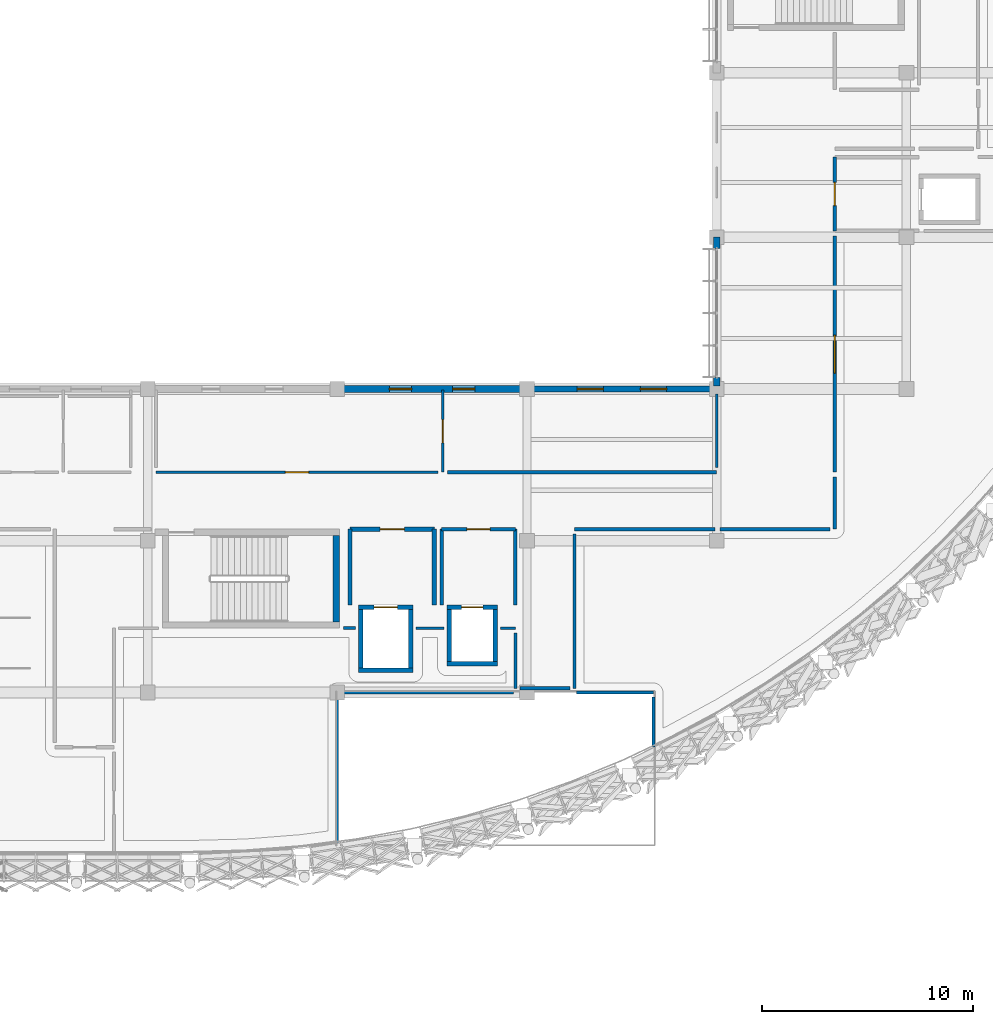
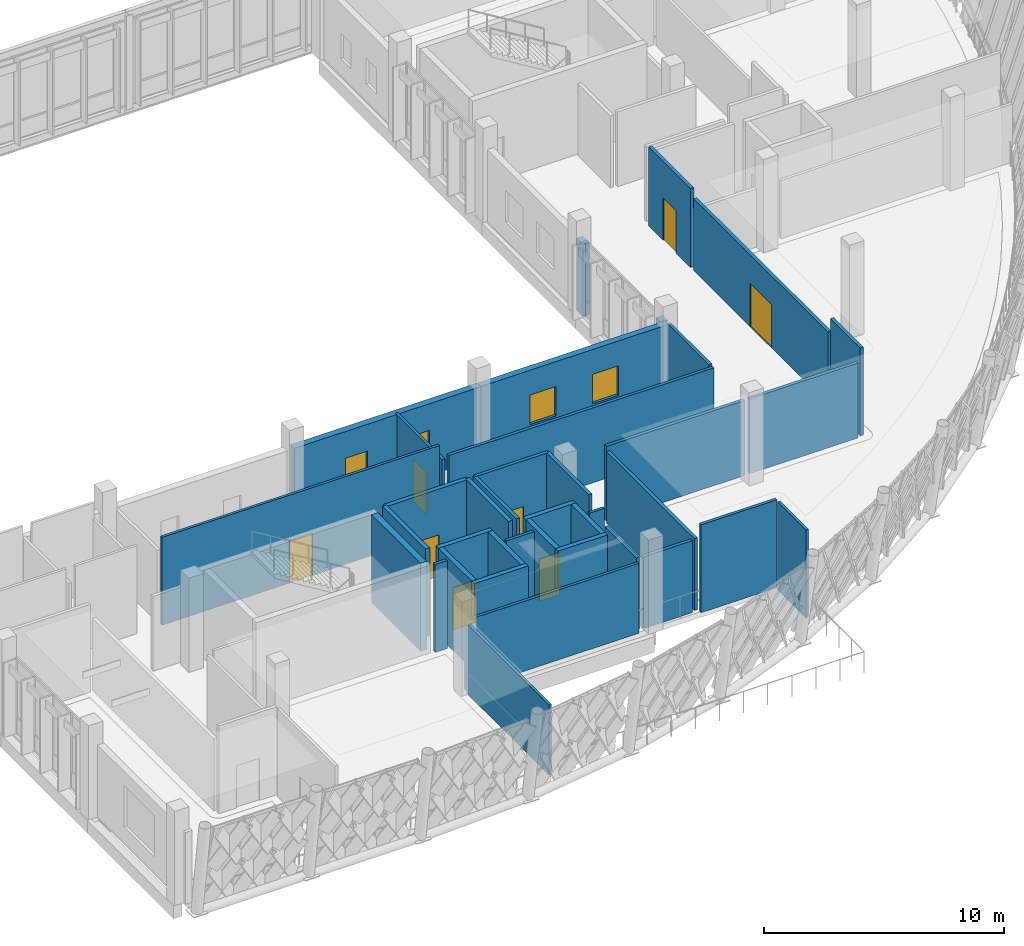
# One storey, part 157 of 177: 38 walls, 8 doors, 4 windows, 12 openings.
"""IFC4 building model written with IfcOpenShell, lengths in metres."""

from ifc_helpers import new_model, si_unit, direction, frame, frame_2d, origin, place, context, subcontext, project, spatial, rectangle, extrude, material, layer, layer_set, type_object, element, fill, save


model = new_model("IFC4")

# Units and contexts
model_context = context("Model", 3, precision=1e-05, world=origin(), true_north=direction((0.0, 1.0)))
body_context = subcontext(model_context, "Body", "Model", "MODEL_VIEW")
ifc_project = project(units=[si_unit("LENGTHUNIT", "METRE"), si_unit("AREAUNIT", "SQUARE_METRE"), si_unit("VOLUMEUNIT", "CUBIC_METRE"), si_unit("PLANEANGLEUNIT", "RADIAN"), si_unit("MASSUNIT", "GRAM", prefix="KILO")], contexts=[model_context])

# Site, building, storey
site_placement = place(None, origin())
site = spatial("IfcSite", under=ifc_project, at=site_placement, CompositionType="ELEMENT")
building_placement = place(site_placement, origin())
building = spatial("IfcBuilding", under=site, at=building_placement, Name="Chiffa Square Polytechnic", CompositionType="ELEMENT")
storey_placement = place(building_placement, frame((0.0, 0.0, 4.800048828125)))
storey = spatial("IfcBuildingStorey", under=building, at=storey_placement, Name="L01", CompositionType="ELEMENT", Elevation=4.800048828125)

# Wall
ifc_material_1 = material(Name="Concrete C40/50", Category="concrete")
ifc_layer_1 = layer(ifc_material_1, 0.300048828125, Name="Concrete C40/50")
ifc_layer_set_1 = layer_set([ifc_layer_1], Name="Concrete C40/50")
wall_type_1 = type_object("IfcWallType", Name="WL-CORE-300", PredefinedType="SHEAR", material=ifc_layer_set_1)
wall_1_placement = place(storey_placement, frame((130.14990234375, 17.75, 0.0), z_axis=(0.0, 0.0, 1.0), x_axis=(0.0, 1.0, 0.0)))
element("IfcWall", 1, at=wall_1_placement, inside=storey, type_object=wall_type_1, Name="Core or enclosure wall WC-CORE-V1A-L01-EAST", PredefinedType="SHEAR", context=body_context, shape_type="SweptSolid", body=[
    extrude(rectangle(XDim=4.10009765625, YDim=0.300048828125, at=frame_2d((2.050048828125, 0.0))), origin(), (0.0, 0.0, 1.0), 4.47998046875),
])

# Wall, openings, windows
ifc_material_2 = material(Name="Precast concrete C40/50", Category="concrete")
ifc_layer_2 = layer(ifc_material_2, 0.300048828125, Name="Precast concrete C40/50")
ifc_layer_set_2 = layer_set([ifc_layer_2], Name="Precast concrete C40/50")
wall_type_2 = type_object("IfcWallType", Name="WL-EXT-PC300", PredefinedType="SOLIDWALL", material=ifc_layer_set_2)
wall_2_placement = place(storey_placement, frame((148.199951171875, 28.800048828125, 0.0), z_axis=(0.0, 0.0, 1.0), x_axis=(-1.0, 0.0, 0.0)))
wall_2 = element("IfcWall", 2, at=wall_2_placement, inside=storey, type_object=wall_type_2, Name="Exterior wall WE-V1-L01-0026", PredefinedType="SOLIDWALL", context=body_context, shape_type="SweptSolid", body=[
    extrude(rectangle(XDim=9.0, YDim=0.300048828125, at=frame_2d((4.5, 0.0))), origin(), (0.0, 0.0, 1.0), 3.6650390625),
])
opening_1_placement = place(wall_2_placement, frame((2.375, 0.0, 0.89990234375)))
opening_1 = element("IfcOpeningElement", 3, at=opening_1_placement, cuts=wall_2, Name="Opening W-18", PredefinedType="OPENING", context=body_context, shape_type="SweptSolid", body=[
    extrude(rectangle(XDim=1.25, YDim=1.5, at=frame_2d((0.625, 0.75))), frame((0.0, 0.16015625, 0.0), z_axis=(0.0, -1.0, 0.0), x_axis=(1.0, 0.0, 0.0)), (0.0, 0.0, 1.0), 0.320068359375),
])
opening_2_placement = place(wall_2_placement, frame((5.375, 0.0, 0.89990234375)))
opening_2 = element("IfcOpeningElement", 4, at=opening_2_placement, cuts=wall_2, Name="Opening W-18", PredefinedType="OPENING", context=body_context, shape_type="SweptSolid", body=[
    extrude(rectangle(XDim=1.25, YDim=1.5, at=frame_2d((0.625, 0.75))), frame((0.0, 0.16015625, 0.0), z_axis=(0.0, -1.0, 0.0), x_axis=(1.0, 0.0, 0.0)), (0.0, 0.0, 1.0), 0.320068359375),
])
ifc_material_3 = material(Name="Double glazing in thermally broken aluminium frame", Category="aluminium")
window_type_1 = type_object("IfcWindowType", Name="WIN-OFF-1250X1500", PartitioningType="DOUBLE_PANEL_VERTICAL", PredefinedType="WINDOW", material=ifc_material_3)
window_1_placement = place(opening_1_placement, origin())
window_1 = element("IfcWindow", 5, at=window_1_placement, inside=storey, type_object=window_type_1, Name="Facade window WN-L01-0019", OverallHeight=1.5, OverallWidth=1.25, PartitioningType="DOUBLE_PANEL_VERTICAL", PredefinedType="WINDOW", context=body_context, shape_type="SweptSolid", body=[
    extrude(rectangle(XDim=1.25, YDim=1.5, at=frame_2d((0.625, 0.75))), frame((0.0, 0.030029296875, 0.0), z_axis=(0.0, -1.0, 0.0), x_axis=(1.0, 0.0, 0.0)), (0.0, 0.0, 1.0), 0.06005859375),
])
fill(opening_1, window_1)
window_2_placement = place(opening_2_placement, origin())
window_2 = element("IfcWindow", 6, at=window_2_placement, inside=storey, type_object=window_type_1, Name="Facade window WN-L01-0020", OverallHeight=1.5, OverallWidth=1.25, PartitioningType="DOUBLE_PANEL_VERTICAL", PredefinedType="WINDOW", context=body_context, shape_type="SweptSolid", body=[
    extrude(rectangle(XDim=1.25, YDim=1.5, at=frame_2d((0.625, 0.75))), frame((0.0, 0.030029296875, 0.0), z_axis=(0.0, -1.0, 0.0), x_axis=(1.0, 0.0, 0.0)), (0.0, 0.0, 1.0), 0.06005859375),
])
fill(opening_2, window_2)

# Walls
ifc_layer_3 = layer(ifc_material_2, 0.320068359375, Name="Precast concrete C40/50")
ifc_layer_set_3 = layer_set([ifc_layer_3], Name="Precast concrete C40/50")
wall_type_3 = type_object("IfcWallType", Name="WL-EXT-PC320", PredefinedType="SOLIDWALL", material=ifc_layer_set_3)
wall_3_placement = place(storey_placement, frame((148.199951171875, 36.0, 0.0), z_axis=(0.0, 0.0, 1.0), x_axis=(0.0, -1.0, 0.0)))
element("IfcWall", 7, at=wall_3_placement, inside=storey, type_object=wall_type_3, Name="Facade column pier V1-L01-0025L", PredefinedType="SOLIDWALL", context=body_context, shape_type="SweptSolid", body=[
    extrude(rectangle(XDim=0.5400390625, YDim=0.320068359375, at=frame_2d((0.27001953125, 0.0))), origin(), (0.0, 0.0, 1.0), 3.6650390625),
])
wall_4_placement = place(storey_placement, frame((148.199951171875, 29.340087890625, 0.0), z_axis=(0.0, 0.0, 1.0), x_axis=(0.0, -1.0, 0.0)))
element("IfcWall", 8, at=wall_4_placement, inside=storey, type_object=wall_type_3, Name="Facade column pier V1-L01-0025R", PredefinedType="SOLIDWALL", context=body_context, shape_type="SweptSolid", body=[
    extrude(rectangle(XDim=0.38818359375, YDim=0.320068359375, at=frame_2d((0.194091796875, 0.0))), origin(), (0.0, 0.0, 1.0), 3.6650390625),
])

# Wall, openings, windows
wall_5_placement = place(storey_placement, frame((139.199951171875, 28.800048828125, 0.0), z_axis=(0.0, 0.0, 1.0), x_axis=(-1.0, 0.0, 0.0)))
wall_5 = element("IfcWall", 9, at=wall_5_placement, inside=storey, type_object=wall_type_3, Name="Exterior wall WE-V1-L01-0027", PredefinedType="SOLIDWALL", context=body_context, shape_type="SweptSolid", body=[
    extrude(rectangle(XDim=9.0, YDim=0.320068359375, at=frame_2d((4.5, 0.0))), origin(), (0.0, 0.0, 1.0), 3.6650390625),
])
opening_3_placement = place(wall_5_placement, frame((2.47509765625, 0.0, 0.89990234375)))
opening_3 = element("IfcOpeningElement", 10, at=opening_3_placement, cuts=wall_5, Name="Opening W-20", PredefinedType="OPENING", context=body_context, shape_type="SweptSolid", body=[
    extrude(rectangle(XDim=1.050048828125, YDim=1.39990234375, at=frame_2d((0.52490234375, 0.699951171875))), frame((0.0, 0.169921875, 0.0), z_axis=(0.0, -1.0, 0.0), x_axis=(1.0, 0.0, 0.0)), (0.0, 0.0, 1.0), 0.340087890625),
])
opening_4_placement = place(wall_5_placement, frame((5.47509765625, 0.0, 0.89990234375)))
opening_4 = element("IfcOpeningElement", 11, at=opening_4_placement, cuts=wall_5, Name="Opening W-20", PredefinedType="OPENING", context=body_context, shape_type="SweptSolid", body=[
    extrude(rectangle(XDim=1.050048828125, YDim=1.39990234375, at=frame_2d((0.52490234375, 0.699951171875))), frame((0.0, 0.169921875, 0.0), z_axis=(0.0, -1.0, 0.0), x_axis=(1.0, 0.0, 0.0)), (0.0, 0.0, 1.0), 0.340087890625),
])
window_type_2 = type_object("IfcWindowType", Name="WIN-OFF-1050X1400", PartitioningType="DOUBLE_PANEL_VERTICAL", PredefinedType="WINDOW", material=ifc_material_3)
window_3_placement = place(opening_3_placement, origin())
window_3 = element("IfcWindow", 12, at=window_3_placement, inside=storey, type_object=window_type_2, Name="Facade window WN-L01-0021", OverallHeight=1.39990234375, OverallWidth=1.050048828125, PartitioningType="DOUBLE_PANEL_VERTICAL", PredefinedType="WINDOW", context=body_context, shape_type="SweptSolid", body=[
    extrude(rectangle(XDim=1.050048828125, YDim=1.39990234375, at=frame_2d((0.52490234375, 0.699951171875))), frame((0.0, 0.030029296875, 0.0), z_axis=(0.0, -1.0, 0.0), x_axis=(1.0, 0.0, 0.0)), (0.0, 0.0, 1.0), 0.06005859375),
])
fill(opening_3, window_3)
window_4_placement = place(opening_4_placement, origin())
window_4 = element("IfcWindow", 13, at=window_4_placement, inside=storey, type_object=window_type_2, Name="Facade window WN-L01-0022", OverallHeight=1.39990234375, OverallWidth=1.050048828125, PartitioningType="DOUBLE_PANEL_VERTICAL", PredefinedType="WINDOW", context=body_context, shape_type="SweptSolid", body=[
    extrude(rectangle(XDim=1.050048828125, YDim=1.39990234375, at=frame_2d((0.52490234375, 0.699951171875))), frame((0.0, 0.030029296875, 0.0), z_axis=(0.0, -1.0, 0.0), x_axis=(1.0, 0.0, 0.0)), (0.0, 0.0, 1.0), 0.06005859375),
])
fill(opening_4, window_4)

# Wall, opening, door
ifc_material_4 = material(Name="Gypsum board on steel stud", Category="steel")
ifc_layer_4 = layer(ifc_material_4, 0.125, Name="Gypsum board on steel stud")
ifc_layer_set_4 = layer_set([ifc_layer_4], Name="Gypsum board on steel stud")
wall_type_4 = type_object("IfcWallType", Name="WL-PART-125", PredefinedType="PARTITIONING", material=ifc_layer_set_4)
wall_6_placement = place(storey_placement, frame((135.199951171875, 24.85009765625, 0.0), z_axis=(0.0, 0.0, 1.0), x_axis=(0.0, 1.0, 0.0)))
wall_6 = element("IfcWall", 14, at=wall_6_placement, inside=storey, type_object=wall_type_4, Name="Interior partition WP-V1-L01-0269", PredefinedType="PARTITIONING", context=body_context, shape_type="SweptSolid", body=[
    extrude(rectangle(XDim=3.89501953125, YDim=0.125, at=frame_2d((1.947509765625, 0.0))), origin(), (0.0, 0.0, 1.0), 3.6650390625),
])
opening_5_placement = place(wall_6_placement, frame((1.39697265625, 0.0, 0.0)))
opening_5 = element("IfcOpeningElement", 15, at=opening_5_placement, cuts=wall_6, Name="Opening DI-L01-126", PredefinedType="OPENING", context=body_context, shape_type="SweptSolid", body=[
    extrude(rectangle(XDim=1.10009765625, YDim=2.14990234375, at=frame_2d((0.550048828125, 1.074951171875))), frame((0.0, 0.072509765625, 0.0), z_axis=(0.0, -1.0, 0.0), x_axis=(1.0, 0.0, 0.0)), (0.0, 0.0, 1.0), 0.14501953125),
])
ifc_material_5 = material(Name="Solid core ash veneer door")
door_type_1 = type_object("IfcDoorType", Name="DR-INT-1100", OperationType="NOTDEFINED", PredefinedType="DOOR", material=ifc_material_5)
door_1_placement = place(opening_5_placement, origin())
door_1 = element("IfcDoor", 16, at=door_1_placement, inside=storey, type_object=door_type_1, Name="Interior room door DI-L01-126", OperationType="SINGLE_SWING_LEFT", OverallHeight=2.14990234375, OverallWidth=1.10009765625, PredefinedType="DOOR", context=body_context, shape_type="SweptSolid", body=[
    extrude(rectangle(XDim=1.10009765625, YDim=2.14990234375, at=frame_2d((0.550048828125, 1.074951171875))), frame((0.0, 0.02490234375, 0.0), z_axis=(0.0, -1.0, 0.0), x_axis=(1.0, 0.0, 0.0)), (0.0, 0.0, 1.0), 0.050048828125),
])
fill(opening_5, door_1)

wall_7_placement = place(storey_placement, frame((121.60009765625, 24.85009765625, 0.0), z_axis=(0.0, 0.0, 1.0), x_axis=(1.0, 0.0, 0.0)))
wall_7 = element("IfcWall", 17, at=wall_7_placement, inside=storey, type_object=wall_type_4, Name="Interior partition WP-V1-L01-0272", PredefinedType="PARTITIONING", context=body_context, shape_type="SweptSolid", body=[
    extrude(rectangle(XDim=13.3798828125, YDim=0.125, at=frame_2d((6.68994140625, 0.0))), origin(), (0.0, 0.0, 1.0), 4.47998046875),
])
opening_6_placement = place(wall_7_placement, frame((6.139892578125, 0.0, 0.0)))
opening_6 = element("IfcOpeningElement", 18, at=opening_6_placement, cuts=wall_7, Name="Opening DI-L01-127", PredefinedType="OPENING", context=body_context, shape_type="SweptSolid", body=[
    extrude(rectangle(XDim=1.10009765625, YDim=2.14990234375, at=frame_2d((0.550048828125, 1.074951171875))), frame((0.0, 0.072509765625, 0.0), z_axis=(0.0, -1.0, 0.0), x_axis=(1.0, 0.0, 0.0)), (0.0, 0.0, 1.0), 0.14501953125),
])
door_2_placement = place(opening_6_placement, origin())
door_2 = element("IfcDoor", 19, at=door_2_placement, inside=storey, type_object=door_type_1, Name="Interior room door DI-L01-127", OperationType="SINGLE_SWING_RIGHT", OverallHeight=2.14990234375, OverallWidth=1.10009765625, PredefinedType="DOOR", context=body_context, shape_type="SweptSolid", body=[
    extrude(rectangle(XDim=1.10009765625, YDim=2.14990234375, at=frame_2d((0.550048828125, 1.074951171875))), frame((0.0, 0.02490234375, 0.0), z_axis=(0.0, -1.0, 0.0), x_axis=(1.0, 0.0, 0.0)), (0.0, 0.0, 1.0), 0.050048828125),
])
fill(opening_6, door_2)

# Walls
wall_8_placement = place(storey_placement, frame((137.929931640625, 17.449951171875, 0.0), z_axis=(0.0, 0.0, 1.0), x_axis=(1.0, 0.0, 0.0)))
element("IfcWall", 20, at=wall_8_placement, inside=storey, type_object=wall_type_4, Name="Interior partition WP-V1-L01-0296", PredefinedType="PARTITIONING", context=body_context, shape_type="SweptSolid", body=[
    extrude(rectangle(XDim=0.719970703125, YDim=0.125, at=frame_2d((0.35986328125, 0.0))), origin(), (0.0, 0.0, 1.0), 4.47998046875),
])
wall_9_placement = place(storey_placement, frame((130.199951171875, 7.26611328125, 0.0), z_axis=(0.0, 0.0, 1.0), x_axis=(0.0, 1.0, 0.0)))
element("IfcWall", 21, at=wall_9_placement, inside=storey, type_object=wall_type_4, Name="Interior partition WP-V1-L01-0299", PredefinedType="PARTITIONING", context=body_context, shape_type="SweptSolid", body=[
    extrude(rectangle(XDim=6.913818359375, YDim=0.125, at=frame_2d((3.45703125, 0.0))), origin(), (0.0, 0.0, 1.0), 3.56494140625),
])
wall_10_placement = place(storey_placement, frame((145.199951171875, 11.81005859375, 0.0), z_axis=(0.0, 0.0, 1.0), x_axis=(0.0, 1.0, 0.0)))
element("IfcWall", 22, at=wall_10_placement, inside=storey, type_object=wall_type_4, Name="Interior partition WP-V1-L01-0326", PredefinedType="PARTITIONING", context=body_context, shape_type="SweptSolid", body=[
    extrude(rectangle(XDim=2.369873046875, YDim=0.125, at=frame_2d((1.18505859375, 0.0))), origin(), (0.0, 0.0, 1.0), 4.47998046875),
])
ifc_layer_5 = layer(ifc_material_4, 0.135009765625, Name="Gypsum board on steel stud")
ifc_layer_set_5 = layer_set([ifc_layer_5], Name="Gypsum board on steel stud")
wall_type_5 = type_object("IfcWallType", Name="WL-PART-135", PredefinedType="PARTITIONING", material=ifc_layer_set_5)
wall_11_placement = place(storey_placement, frame((148.199951171875, 25.070068359375, 0.0), z_axis=(0.0, 0.0, 1.0), x_axis=(0.0, 1.0, 0.0)))
element("IfcWall", 23, at=wall_11_placement, inside=storey, type_object=wall_type_5, Name="Interior partition WP-V1-L01-0271", PredefinedType="PARTITIONING", context=body_context, shape_type="SweptSolid", body=[
    extrude(rectangle(XDim=3.489990234375, YDim=0.135009765625, at=frame_2d((1.7451171875, 0.0))), origin(), (0.0, 0.0, 1.0), 3.81494140625),
])
wall_12_placement = place(storey_placement, frame((133.929931640625, 17.449951171875, 0.0), z_axis=(0.0, 0.0, 1.0), x_axis=(1.0, 0.0, 0.0)))
element("IfcWall", 24, at=wall_12_placement, inside=storey, type_object=wall_type_5, Name="Interior partition WP-V1-L01-0295", PredefinedType="PARTITIONING", context=body_context, shape_type="SweptSolid", body=[
    extrude(rectangle(XDim=1.340087890625, YDim=0.135009765625, at=frame_2d((0.669921875, 0.0))), origin(), (0.0, 0.0, 1.0), 4.47998046875),
])
wall_13_placement = place(storey_placement, frame((130.199951171875, 14.39990234375, 0.0), z_axis=(0.0, 0.0, 1.0), x_axis=(1.0, 0.0, 0.0)))
element("IfcWall", 25, at=wall_13_placement, inside=storey, type_object=wall_type_5, Name="Interior partition WP-V1-L01-0298", PredefinedType="PARTITIONING", context=body_context, shape_type="SweptSolid", body=[
    extrude(rectangle(XDim=8.359130859375, YDim=0.135009765625, at=frame_2d((4.1796875, 0.0))), origin(), (0.0, 0.0, 1.0), 3.56494140625),
])
ifc_layer_6 = layer(ifc_material_4, 0.14501953125, Name="Gypsum board on steel stud")
ifc_layer_set_6 = layer_set([ifc_layer_6], Name="Gypsum board on steel stud")
wall_type_6 = type_object("IfcWallType", Name="WL-PART-145", PredefinedType="PARTITIONING", material=ifc_layer_set_6)
wall_14_placement = place(storey_placement, frame((135.419921875, 24.85009765625, 0.0), z_axis=(0.0, 0.0, 1.0), x_axis=(1.0, 0.0, 0.0)))
element("IfcWall", 26, at=wall_14_placement, inside=storey, type_object=wall_type_6, Name="Interior partition WP-V1-L01-0270", PredefinedType="PARTITIONING", context=body_context, shape_type="SweptSolid", body=[
    extrude(rectangle(XDim=12.780029296875, YDim=0.14501953125, at=frame_2d((6.39013671875, 0.0))), origin(), (0.0, 0.0, 1.0), 3.81494140625),
])
wall_15_placement = place(storey_placement, frame((130.487060546875, 17.449951171875, 0.0), z_axis=(0.0, 0.0, 1.0), x_axis=(1.0, 0.0, 0.0)))
element("IfcWall", 27, at=wall_15_placement, inside=storey, type_object=wall_type_6, Name="Interior partition WP-V1-L01-0294", PredefinedType="PARTITIONING", context=body_context, shape_type="SweptSolid", body=[
    extrude(rectangle(XDim=0.5830078125, YDim=0.14501953125, at=frame_2d((0.29150390625, 0.0))), origin(), (0.0, 0.0, 1.0), 4.47998046875),
])
wall_16_placement = place(storey_placement, frame((138.64990234375, 14.60009765625, 0.0), z_axis=(0.0, 0.0, 1.0), x_axis=(0.0, 1.0, 0.0)))
element("IfcWall", 28, at=wall_16_placement, inside=storey, type_object=wall_type_6, Name="Interior partition WP-V1-L01-0297", PredefinedType="PARTITIONING", context=body_context, shape_type="SweptSolid", body=[
    extrude(rectangle(XDim=2.6298828125, YDim=0.14501953125, at=frame_2d((1.31494140625, 0.0))), origin(), (0.0, 0.0, 1.0), 3.6650390625),
])
wall_17_placement = place(storey_placement, frame((141.541015625, 14.39990234375, 0.0), z_axis=(0.0, 0.0, 1.0), x_axis=(1.0, 0.0, 0.0)))
element("IfcWall", 29, at=wall_17_placement, inside=storey, type_object=wall_type_6, Name="Interior partition WP-V1-L01-0324", PredefinedType="PARTITIONING", context=body_context, shape_type="SweptSolid", body=[
    extrude(rectangle(XDim=3.658935546875, YDim=0.14501953125, at=frame_2d((1.82958984375, 0.0))), origin(), (0.0, 0.0, 1.0), 4.47998046875),
])

# Wall, opening, door
ifc_material_6 = material(Name="Autoclaved aerated concrete blockwork", Category="masonry")
ifc_layer_7 = layer(ifc_material_6, 0.199951171875, Name="Autoclaved aerated concrete blockwork")
ifc_layer_set_7 = layer_set([ifc_layer_7], Name="Autoclaved aerated concrete blockwork")
wall_type_7 = type_object("IfcWallType", Name="WL-PART-EI120-200", PredefinedType="PARTITIONING", material=ifc_layer_set_7)
wall_18_placement = place(storey_placement, frame((130.800048828125, 22.14990234375, 0.0), z_axis=(0.0, 0.0, 1.0), x_axis=(1.0, 0.0, 0.0)))
wall_18 = element("IfcWall", 30, at=wall_18_placement, inside=storey, type_object=wall_type_7, Name="Lift lobby rated enclosure WP-LOB-LF-V1-L01-NORTH", PredefinedType="PARTITIONING", context=body_context, shape_type="SweptSolid", body=[
    extrude(rectangle(XDim=4.0, YDim=0.199951171875, at=frame_2d((2.0, 0.0))), origin(), (0.0, 0.0, 1.0), 4.47998046875),
])
opening_7_placement = place(wall_18_placement, frame((1.425048828125, 0.0, 0.0)))
opening_7 = element("IfcOpeningElement", 31, at=opening_7_placement, cuts=wall_18, Name="Opening DI-L01-003", PredefinedType="OPENING", context=body_context, shape_type="SweptSolid", body=[
    extrude(rectangle(XDim=1.14990234375, YDim=2.14990234375, at=frame_2d((0.574951171875, 1.074951171875))), frame((0.0, 0.10986328125, 0.0), z_axis=(0.0, -1.0, 0.0), x_axis=(1.0, 0.0, 0.0)), (0.0, 0.0, 1.0), 0.219970703125),
])
ifc_material_7 = material(Name="Fire-rated steel door leaf", Category="steel")
door_type_2 = type_object("IfcDoorType", Name="DR-LOBBY-FD120", OperationType="NOTDEFINED", PredefinedType="DOOR", material=ifc_material_7)
door_3_placement = place(opening_7_placement, origin())
door_3 = element("IfcDoor", 32, at=door_3_placement, inside=storey, type_object=door_type_2, Name="Lift lobby fire door DI-L01-003", OperationType="SINGLE_SWING_RIGHT", OverallHeight=2.14990234375, OverallWidth=1.14990234375, PredefinedType="DOOR", context=body_context, shape_type="SweptSolid", body=[
    extrude(rectangle(XDim=1.14990234375, YDim=2.14990234375, at=frame_2d((0.574951171875, 1.074951171875))), frame((0.0, 0.02490234375, 0.0), z_axis=(0.0, -1.0, 0.0), x_axis=(1.0, 0.0, 0.0)), (0.0, 0.0, 1.0), 0.050048828125),
])
fill(opening_7, door_3)

# Walls
for number, where, z_axis, x_axis, name in (
    (33, (130.800048828125, 18.550048828125, 0.0), (0.0, 0.0, 1.0), (0.0, 1.0, 0.0), "Lift lobby rated enclosure WP-LOB-LF-V1-L01-WEST"),
    (34, (134.800048828125, 18.550048828125, 0.0), (0.0, 0.0, 1.0), (0.0, 1.0, 0.0), "Lift lobby rated enclosure WP-LOB-LF-V1-L01-EAST"),
):
    element("IfcWall", number, at=place(storey_placement, frame(where, z_axis=z_axis, x_axis=x_axis)), inside=storey, type_object=wall_type_7, Name=name, PredefinedType="PARTITIONING", context=body_context, shape_type="SweptSolid", body=[
        extrude(rectangle(XDim=3.599853515625, YDim=0.199951171875, at=frame_2d((1.7998046875, 0.0))), origin(), (0.0, 0.0, 1.0), 4.47998046875),
    ])

# Wall, opening, door
ifc_material_8 = material(Name="Gypsum board on acoustic steel stud", Category="steel")
ifc_layer_8 = layer(ifc_material_8, 0.159912109375, Name="Gypsum board on acoustic steel stud")
ifc_layer_set_8 = layer_set([ifc_layer_8], Name="Gypsum board on acoustic steel stud")
wall_type_8 = type_object("IfcWallType", Name="WL-PART-EI60-160", PredefinedType="PARTITIONING", material=ifc_layer_set_8)
wall_19_placement = place(storey_placement, frame((135.14990234375, 22.14990234375, 0.0), z_axis=(0.0, 0.0, 1.0), x_axis=(1.0, 0.0, 0.0)))
wall_19 = element("IfcWall", 35, at=wall_19_placement, inside=storey, type_object=wall_type_8, Name="Lift lobby rated enclosure WP-LOB-LP-V1A-L01-NORTH", PredefinedType="PARTITIONING", context=body_context, shape_type="SweptSolid", body=[
    extrude(rectangle(XDim=3.5, YDim=0.159912109375, at=frame_2d((1.75, 0.0))), origin(), (0.0, 0.0, 1.0), 4.47998046875),
])
opening_8_placement = place(wall_19_placement, frame((1.199951171875, 0.0, 0.0)))
opening_8 = element("IfcOpeningElement", 36, at=opening_8_placement, cuts=wall_19, Name="Opening DI-L01-011", PredefinedType="OPENING", context=body_context, shape_type="SweptSolid", body=[
    extrude(rectangle(XDim=1.10009765625, YDim=2.14990234375, at=frame_2d((0.550048828125, 1.074951171875))), frame((0.0, 0.08984375, 0.0), z_axis=(0.0, -1.0, 0.0), x_axis=(1.0, 0.0, 0.0)), (0.0, 0.0, 1.0), 0.179931640625),
])
door_4_placement = place(opening_8_placement, origin())
door_4 = element("IfcDoor", 37, at=door_4_placement, inside=storey, type_object=door_type_1, Name="Lift lobby fire door DI-L01-011", OperationType="SINGLE_SWING_RIGHT", OverallHeight=2.14990234375, OverallWidth=1.10009765625, PredefinedType="DOOR", context=body_context, shape_type="SweptSolid", body=[
    extrude(rectangle(XDim=1.10009765625, YDim=2.14990234375, at=frame_2d((0.550048828125, 1.074951171875))), frame((0.0, 0.02490234375, 0.0), z_axis=(0.0, -1.0, 0.0), x_axis=(1.0, 0.0, 0.0)), (0.0, 0.0, 1.0), 0.050048828125),
])
fill(opening_8, door_4)

# Walls
for number, where, z_axis, x_axis, name in (
    (38, (135.14990234375, 18.550048828125, 0.0), (0.0, 0.0, 1.0), (0.0, 1.0, 0.0), "Lift lobby rated enclosure WP-LOB-LP-V1A-L01-WEST"),
    (39, (138.64990234375, 18.550048828125, 0.0), (0.0, 0.0, 1.0), (0.0, 1.0, 0.0), "Lift lobby rated enclosure WP-LOB-LP-V1A-L01-EAST"),
):
    element("IfcWall", number, at=place(storey_placement, frame(where, z_axis=z_axis, x_axis=x_axis)), inside=storey, type_object=wall_type_8, Name=name, PredefinedType="PARTITIONING", context=body_context, shape_type="SweptSolid", body=[
        extrude(rectangle(XDim=3.599853515625, YDim=0.159912109375, at=frame_2d((1.7998046875, 0.0))), origin(), (0.0, 0.0, 1.0), 4.47998046875),
    ])

# Wall, opening, door
wall_20_placement = place(storey_placement, frame((153.800048828125, 36.300048828125, 0.0), z_axis=(0.0, 0.0, 1.0), x_axis=(0.0, 1.0, 0.0)))
wall_20 = element("IfcWall", 40, at=wall_20_placement, inside=storey, type_object=wall_type_8, Name="Lift lobby rated enclosure WP-LOB-LP-V1B-L01-WEST", PredefinedType="PARTITIONING", context=body_context, shape_type="SweptSolid", body=[
    extrude(rectangle(XDim=3.5, YDim=0.159912109375, at=frame_2d((1.75, 0.0))), origin(), (0.0, 0.0, 1.0), 4.02490234375),
])
opening_9_placement = place(wall_20_placement, frame((1.199951171875, 0.0, 0.0)))
opening_9 = element("IfcOpeningElement", 41, at=opening_9_placement, cuts=wall_20, Name="Opening DI-L01-019", PredefinedType="OPENING", context=body_context, shape_type="SweptSolid", body=[
    extrude(rectangle(XDim=1.10009765625, YDim=2.14990234375, at=frame_2d((0.550048828125, 1.074951171875))), frame((0.0, 0.08984375, 0.0), z_axis=(0.0, -1.0, 0.0), x_axis=(1.0, 0.0, 0.0)), (0.0, 0.0, 1.0), 0.179931640625),
])
door_5_placement = place(opening_9_placement, origin())
door_5 = element("IfcDoor", 42, at=door_5_placement, inside=storey, type_object=door_type_1, Name="Lift lobby fire door DI-L01-019", OperationType="SINGLE_SWING_RIGHT", OverallHeight=2.14990234375, OverallWidth=1.10009765625, PredefinedType="DOOR", context=body_context, shape_type="SweptSolid", body=[
    extrude(rectangle(XDim=1.10009765625, YDim=2.14990234375, at=frame_2d((0.550048828125, 1.074951171875))), frame((0.0, 0.02490234375, 0.0), z_axis=(0.0, -1.0, 0.0), x_axis=(1.0, 0.0, 0.0)), (0.0, 0.0, 1.0), 0.050048828125),
])
fill(opening_9, door_5)

wall_21_placement = place(storey_placement, frame((153.800048828125, 24.85009765625, 0.0), z_axis=(0.0, 0.0, 1.0), x_axis=(0.0, 1.0, 0.0)))
wall_21 = element("IfcWall", 43, at=wall_21_placement, inside=storey, type_object=wall_type_8, Name="Interior partition WP-V1-L01-0319", PredefinedType="PARTITIONING", context=body_context, shape_type="SweptSolid", body=[
    extrude(rectangle(XDim=11.2099609375, YDim=0.159912109375, at=frame_2d((5.60498046875, 0.0))), origin(), (0.0, 0.0, 1.0), 3.6650390625),
])
opening_10_placement = place(wall_21_placement, frame((4.705078125, 0.0, 0.0)))
opening_10 = element("IfcOpeningElement", 44, at=opening_10_placement, cuts=wall_21, Name="Opening DI-L01-145", PredefinedType="OPENING", context=body_context, shape_type="SweptSolid", body=[
    extrude(rectangle(XDim=1.800048828125, YDim=2.199951171875, at=frame_2d((0.89990234375, 1.10009765625))), frame((0.0, 0.08984375, 0.0), z_axis=(0.0, -1.0, 0.0), x_axis=(1.0, 0.0, 0.0)), (0.0, 0.0, 1.0), 0.179931640625),
])
ifc_material_9 = material(Name="Solid oak fire door pair")
door_type_3 = type_object("IfcDoorType", Name="DR-CORR-DBL-1800", OperationType="DOUBLE_DOOR_SINGLE_SWING", PredefinedType="DOOR", material=ifc_material_9)
door_6_placement = place(opening_10_placement, origin())
door_6 = element("IfcDoor", 45, at=door_6_placement, inside=storey, type_object=door_type_3, Name="Interior room door DI-L01-145", OperationType="DOUBLE_DOOR_SINGLE_SWING", OverallHeight=2.199951171875, OverallWidth=1.800048828125, PredefinedType="DOOR", context=body_context, shape_type="SweptSolid", body=[
    extrude(rectangle(XDim=1.800048828125, YDim=2.199951171875, at=frame_2d((0.89990234375, 1.10009765625))), frame((0.0, 0.02490234375, 0.0), z_axis=(0.0, -1.0, 0.0), x_axis=(1.0, 0.0, 0.0)), (0.0, 0.0, 1.0), 0.050048828125),
])
fill(opening_10, door_6)

# Walls
wall_22_placement = place(storey_placement, frame((153.800048828125, 22.14990234375, 0.0), z_axis=(0.0, 0.0, 1.0), x_axis=(0.0, 1.0, 0.0)))
element("IfcWall", 46, at=wall_22_placement, inside=storey, type_object=wall_type_8, Name="Interior partition WP-V1-L01-0320", PredefinedType="PARTITIONING", context=body_context, shape_type="SweptSolid", body=[
    extrude(rectangle(XDim=2.47998046875, YDim=0.159912109375, at=frame_2d((1.239990234375, 0.0))), origin(), (0.0, 0.0, 1.0), 4.47998046875),
])
wall_23_placement = place(storey_placement, frame((148.35009765625, 22.14990234375, 0.0), z_axis=(0.0, 0.0, 1.0), x_axis=(1.0, 0.0, 0.0)))
element("IfcWall", 47, at=wall_23_placement, inside=storey, type_object=wall_type_8, Name="Interior partition WP-V1-L01-0321", PredefinedType="PARTITIONING", context=body_context, shape_type="SweptSolid", body=[
    extrude(rectangle(XDim=5.22998046875, YDim=0.159912109375, at=frame_2d((2.614990234375, 0.0))), origin(), (0.0, 0.0, 1.0), 3.81494140625),
])
wall_24_placement = place(storey_placement, frame((141.449951171875, 22.14990234375, 0.0), z_axis=(0.0, 0.0, 1.0), x_axis=(1.0, 0.0, 0.0)))
element("IfcWall", 48, at=wall_24_placement, inside=storey, type_object=wall_type_8, Name="Interior partition WP-V1-L01-0322", PredefinedType="PARTITIONING", context=body_context, shape_type="SweptSolid", body=[
    extrude(rectangle(XDim=6.679931640625, YDim=0.159912109375, at=frame_2d((3.33984375, 0.0))), origin(), (0.0, 0.0, 1.0), 3.81494140625),
])
wall_25_placement = place(storey_placement, frame((141.449951171875, 14.60009765625, 0.0), z_axis=(0.0, 0.0, 1.0), x_axis=(0.0, 1.0, 0.0)))
element("IfcWall", 49, at=wall_25_placement, inside=storey, type_object=wall_type_8, Name="Interior partition WP-V1-L01-0323", PredefinedType="PARTITIONING", context=body_context, shape_type="SweptSolid", body=[
    extrude(rectangle(XDim=7.329833984375, YDim=0.159912109375, at=frame_2d((3.6650390625, 0.0))), origin(), (0.0, 0.0, 1.0), 3.6650390625),
])
wall_26_placement = place(storey_placement, frame((138.8701171875, 14.60009765625, 0.0), z_axis=(0.0, 0.0, 1.0), x_axis=(1.0, 0.0, 0.0)))
element("IfcWall", 50, at=wall_26_placement, inside=storey, type_object=wall_type_8, Name="Interior partition WP-V1-L01-0365", PredefinedType="PARTITIONING", context=body_context, shape_type="SweptSolid", body=[
    extrude(rectangle(XDim=2.35986328125, YDim=0.159912109375, at=frame_2d((1.179931640625, 0.0))), origin(), (0.0, 0.0, 1.0), 3.6650390625),
])
ifc_material_10 = material(Name="Concrete C35/45", Category="concrete")
ifc_layer_9 = layer(ifc_material_10, 0.219970703125, Name="Concrete C35/45")
ifc_layer_set_9 = layer_set([ifc_layer_9], Name="Concrete C35/45")
wall_type_9 = type_object("IfcWallType", Name="WL-SHAFT-220", PredefinedType="SHEAR", material=ifc_layer_set_9)
wall_27_placement = place(storey_placement, frame((131.199951171875, 15.4599609375, 0.0), z_axis=(0.0, 0.0, 1.0), x_axis=(1.0, 0.0, 0.0)))
element("IfcWall", 51, at=wall_27_placement, inside=storey, type_object=wall_type_9, Name="Core or enclosure wall WS-LF-V1-L01-SOUTH", PredefinedType="SHEAR", context=body_context, shape_type="SweptSolid", body=[
    extrude(rectangle(XDim=2.60009765625, YDim=0.219970703125, at=frame_2d((1.300048828125, 0.0))), origin(), (0.0, 0.0, 1.0), 4.47998046875),
])

# Wall, opening, door
wall_28_placement = place(storey_placement, frame((131.199951171875, 18.43994140625, 0.0), z_axis=(0.0, 0.0, 1.0), x_axis=(1.0, 0.0, 0.0)))
wall_28 = element("IfcWall", 52, at=wall_28_placement, inside=storey, type_object=wall_type_9, Name="Core or enclosure wall WS-LF-V1-L01-NORTH", PredefinedType="SHEAR", context=body_context, shape_type="SweptSolid", body=[
    extrude(rectangle(XDim=2.60009765625, YDim=0.219970703125, at=frame_2d((1.300048828125, 0.0))), origin(), (0.0, 0.0, 1.0), 4.47998046875),
])
opening_11_placement = place(wall_28_placement, frame((0.75, 0.0, 0.0)))
opening_11 = element("IfcOpeningElement", 53, at=opening_11_placement, cuts=wall_28, Name="Opening LD-LF-V1-L01", PredefinedType="OPENING", context=body_context, shape_type="SweptSolid", body=[
    extrude(rectangle(XDim=1.10009765625, YDim=2.14990234375, at=frame_2d((0.550048828125, 1.074951171875))), frame((0.0, 0.1201171875, 0.0), z_axis=(0.0, -1.0, 0.0), x_axis=(1.0, 0.0, 0.0)), (0.0, 0.0, 1.0), 0.239990234375),
])
ifc_material_11 = material(Name="Brushed stainless steel sliding landing door", Category="steel")
door_type_4 = type_object("IfcDoorType", Name="DR-LIFT-1100", OperationType="SLIDING_TO_LEFT", PredefinedType="DOOR", material=ifc_material_11)
door_7_placement = place(opening_11_placement, origin())
door_7 = element("IfcDoor", 54, at=door_7_placement, inside=storey, type_object=door_type_4, Name="Enclosure door LD-LF-V1-L01", OperationType="SLIDING_TO_LEFT", OverallHeight=2.14990234375, OverallWidth=1.10009765625, PredefinedType="DOOR", context=body_context, shape_type="SweptSolid", body=[
    extrude(rectangle(XDim=1.10009765625, YDim=2.14990234375, at=frame_2d((0.550048828125, 1.074951171875))), frame((0.0, 0.02490234375, 0.0), z_axis=(0.0, -1.0, 0.0), x_axis=(1.0, 0.0, 0.0)), (0.0, 0.0, 1.0), 0.050048828125),
])
fill(opening_11, door_7)

# Walls
for number, where, z_axis, x_axis, name in (
    (55, (131.31005859375, 15.570068359375, 0.0), (0.0, 0.0, 1.0), (0.0, 1.0, 0.0), "Core or enclosure wall WS-LF-V1-L01-WEST"),
    (56, (133.68994140625, 15.570068359375, 0.0), (0.0, 0.0, 1.0), (0.0, 1.0, 0.0), "Core or enclosure wall WS-LF-V1-L01-EAST"),
):
    element("IfcWall", number, at=place(storey_placement, frame(where, z_axis=z_axis, x_axis=x_axis)), inside=storey, type_object=wall_type_9, Name=name, PredefinedType="SHEAR", context=body_context, shape_type="SweptSolid", body=[
        extrude(rectangle(XDim=2.760009765625, YDim=0.219970703125, at=frame_2d((1.3798828125, 0.0))), origin(), (0.0, 0.0, 1.0), 4.47998046875),
    ])
wall_29_placement = place(storey_placement, frame((135.39990234375, 15.760009765625, 0.0), z_axis=(0.0, 0.0, 1.0), x_axis=(1.0, 0.0, 0.0)))
element("IfcWall", 57, at=wall_29_placement, inside=storey, type_object=wall_type_9, Name="Core or enclosure wall WS-LP-V1A-L01-SOUTH", PredefinedType="SHEAR", context=body_context, shape_type="SweptSolid", body=[
    extrude(rectangle(XDim=2.400146484375, YDim=0.219970703125, at=frame_2d((1.2001953125, 0.0))), origin(), (0.0, 0.0, 1.0), 4.47998046875),
])

# Wall, opening, door
wall_30_placement = place(storey_placement, frame((135.39990234375, 18.43994140625, 0.0), z_axis=(0.0, 0.0, 1.0), x_axis=(1.0, 0.0, 0.0)))
wall_30 = element("IfcWall", 58, at=wall_30_placement, inside=storey, type_object=wall_type_9, Name="Core or enclosure wall WS-LP-V1A-L01-NORTH", PredefinedType="SHEAR", context=body_context, shape_type="SweptSolid", body=[
    extrude(rectangle(XDim=2.400146484375, YDim=0.219970703125, at=frame_2d((1.2001953125, 0.0))), origin(), (0.0, 0.0, 1.0), 4.47998046875),
])
opening_12_placement = place(wall_30_placement, frame((0.699951171875, 0.0, 0.0)))
opening_12 = element("IfcOpeningElement", 59, at=opening_12_placement, cuts=wall_30, Name="Opening LD-LP-V1A-L01", PredefinedType="OPENING", context=body_context, shape_type="SweptSolid", body=[
    extrude(rectangle(XDim=1.0, YDim=2.14990234375, at=frame_2d((0.5, 1.074951171875))), frame((0.0, 0.1201171875, 0.0), z_axis=(0.0, -1.0, 0.0), x_axis=(1.0, 0.0, 0.0)), (0.0, 0.0, 1.0), 0.239990234375),
])
door_type_5 = type_object("IfcDoorType", Name="DR-LIFT-1000", OperationType="SLIDING_TO_RIGHT", PredefinedType="DOOR", material=ifc_material_11)
door_8_placement = place(opening_12_placement, origin())
door_8 = element("IfcDoor", 60, at=door_8_placement, inside=storey, type_object=door_type_5, Name="Enclosure door LD-LP-V1A-L01", OperationType="SLIDING_TO_RIGHT", OverallHeight=2.14990234375, OverallWidth=1.0, PredefinedType="DOOR", context=body_context, shape_type="SweptSolid", body=[
    extrude(rectangle(XDim=1.0, YDim=2.14990234375, at=frame_2d((0.5, 1.074951171875))), frame((0.0, 0.02490234375, 0.0), z_axis=(0.0, -1.0, 0.0), x_axis=(1.0, 0.0, 0.0)), (0.0, 0.0, 1.0), 0.050048828125),
])
fill(opening_12, door_8)

# Walls
for number, where, z_axis, x_axis, name in (
    (61, (135.510009765625, 15.8701171875, 0.0), (0.0, 0.0, 1.0), (0.0, 1.0, 0.0), "Core or enclosure wall WS-LP-V1A-L01-WEST"),
    (62, (137.68994140625, 15.8701171875, 0.0), (0.0, 0.0, 1.0), (0.0, 1.0, 0.0), "Core or enclosure wall WS-LP-V1A-L01-EAST"),
):
    element("IfcWall", number, at=place(storey_placement, frame(where, z_axis=z_axis, x_axis=x_axis)), inside=storey, type_object=wall_type_9, Name=name, PredefinedType="SHEAR", context=body_context, shape_type="SweptSolid", body=[
        extrude(rectangle(XDim=2.4599609375, YDim=0.219970703125, at=frame_2d((1.22998046875, 0.0))), origin(), (0.0, 0.0, 1.0), 4.47998046875),
    ])

save(model, "model.ifc")
